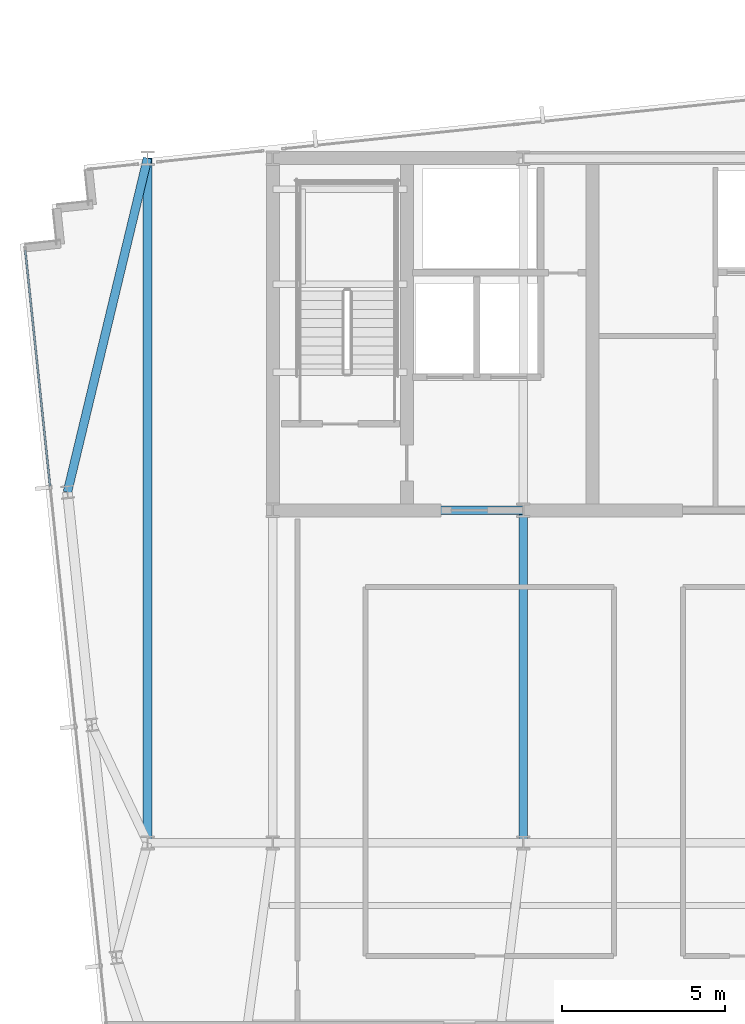
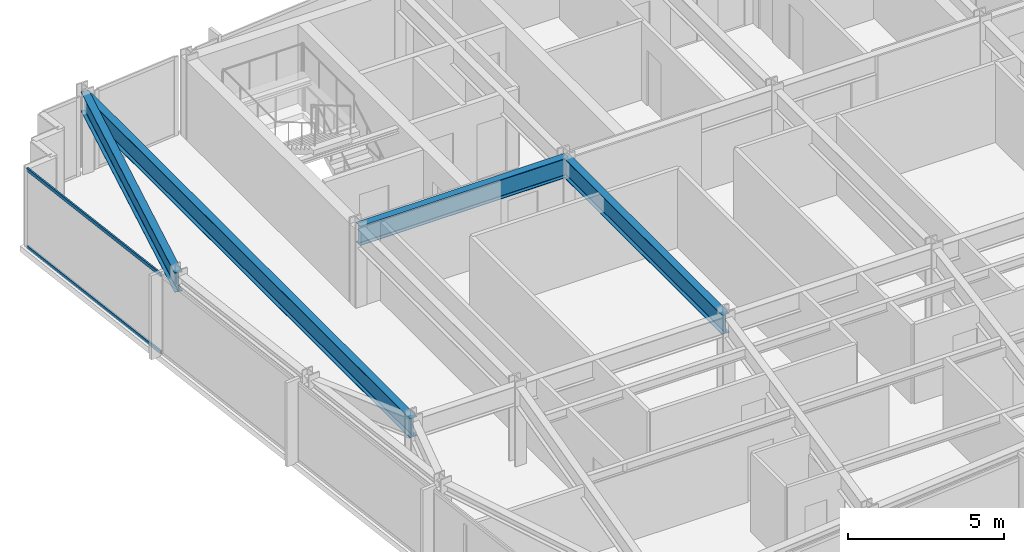
# One storey, part 11 of 32: 4 beams, 2 members, 1 element without a shape of its own.
"""IFC4 building model written with IfcOpenShell, lengths in metres."""

import ifcopenshell
import ifcopenshell.guid

model = None  # the IFC model being written
_history = None  # IfcOwnerHistory: only IFC2X3 demands one
_inside = {}  # id of a spatial element -> (the spatial element, [elements in it])
_under = {}  # id of a project, library or spatial element -> (it, [spatial elements below it])
_declared = {}  # id of a project -> (the project, [libraries it declares])
_typed = {}  # id of a type object -> (the type object, [elements of that type])
_made_of = {}  # id of a material, layer set ... -> (it, [elements and type objects made of it])


def new_model(schema):
    """Start an empty IFC model of exactly this schema.

    Asked for "IFC4X3", IfcOpenShell would pick the latest addendum, in which some entities
    have other attributes; the version numbers below select the first issue.
    IFC2X3 requires an IfcOwnerHistory on every rooted entity: one is made here for all.
    """
    global model, _history
    if schema == "IFC4X3":
        model = ifcopenshell.file(schema_version=(4, 3, 0, 0))
    else:
        model = ifcopenshell.file(schema=schema)
    _inside.clear()
    _under.clear()
    _declared.clear()
    _typed.clear()
    _made_of.clear()
    _history = None
    if model.schema == "IFC2X3":
        org = make("IfcOrganization", Name="unknown")
        user = make(
            "IfcPersonAndOrganization",
            ThePerson=make("IfcPerson", FamilyName="unknown"),
            TheOrganization=org,
        )
        app = make(
            "IfcApplication",
            ApplicationDeveloper=org,
            Version="unknown",
            ApplicationFullName="unknown",
            ApplicationIdentifier="unknown",
        )
        _history = make(
            "IfcOwnerHistory",
            OwningUser=user,
            OwningApplication=app,
            ChangeAction="ADDED",
            CreationDate=0,
        )
    return model


def make(cls, **values):
    """One entity of the class cls with the attributes given. An attribute that is None is left unset."""
    return model.create_entity(
        cls, **{name: value for name, value in values.items() if value is not None}
    )


def rooted(cls, **values):
    """An entity with a GlobalId (a new one), such as an element, a storey or a relation."""
    return make(cls, GlobalId=ifcopenshell.guid.new(), OwnerHistory=_history, **values)


def si_unit(unit_type, name, prefix=None):
    """IfcSIUnit, for example si_unit("LENGTHUNIT", "METRE", prefix="MILLI")."""
    return make("IfcSIUnit", UnitType=unit_type, Prefix=prefix, Name=name)


def assignment(units):
    """IfcUnitAssignment: the units of a project."""
    return None if units is None else make("IfcUnitAssignment", Units=units)


def point(xyz):
    """IfcCartesianPoint."""
    return None if xyz is None else make("IfcCartesianPoint", Coordinates=xyz)


def direction(xyz):
    """IfcDirection."""
    return None if xyz is None else make("IfcDirection", DirectionRatios=xyz)


def frame(location, z_axis=None, x_axis=None):
    """IfcAxis2Placement3D, a coordinate frame: its origin and axes. An axis left out is left unset."""
    return make(
        "IfcAxis2Placement3D",
        Location=point(location),
        Axis=direction(z_axis),
        RefDirection=direction(x_axis),
    )


def frame_2d(location, x_axis=None):
    """IfcAxis2Placement2D, a coordinate frame in the plane: its origin and x axis."""
    return make(
        "IfcAxis2Placement2D", Location=point(location), RefDirection=direction(x_axis)
    )


def origin():
    """The frame at (0, 0, 0) with its axes left unset."""
    return frame((0.0, 0.0, 0.0))


def origin_2d():
    """The frame at (0, 0) in the plane with its x axis left unset."""
    return frame_2d((0.0, 0.0))


def place(relative_to, where):
    """IfcLocalPlacement: puts the frame where relative to a parent placement (None: the world)."""
    return make(
        "IfcLocalPlacement", PlacementRelTo=relative_to, RelativePlacement=where
    )


def context(
    kind, dimensions, precision=None, world=None, true_north=None, identifier=None
):
    """IfcGeometricRepresentationContext, for example the 3D "Model" context."""
    return make(
        "IfcGeometricRepresentationContext",
        ContextIdentifier=identifier,
        ContextType=kind,
        CoordinateSpaceDimension=dimensions,
        Precision=precision,
        WorldCoordinateSystem=world,
        TrueNorth=true_north,
    )


def subcontext(parent, identifier, kind, view, scale=None):
    """IfcGeometricRepresentationSubContext, for example "Body" below "Model"."""
    return make(
        "IfcGeometricRepresentationSubContext",
        ContextIdentifier=identifier,
        ContextType=kind,
        ParentContext=parent,
        TargetScale=scale,
        TargetView=view,
    )


def project(units=None, contexts=None):
    """IfcProject with its units and contexts."""
    return rooted(
        "IfcProject",
        Name="project",
        RepresentationContexts=contexts,
        UnitsInContext=assignment(units),
    )


def spatial(cls, under=None, at=None, **own):
    """A site, building, storey or space (cls), placed at a placement, below another one or the project."""
    s = rooted(cls, ObjectPlacement=at, **own)
    if under is not None:
        _under.setdefault(under.id(), (under, []))[1].append(s)
    return s


def profile(cls, at=None, kind="AREA", **sizes):
    """A parametric profile (cls). Its sizes go by their IFC names, for example OverallWidth=200.0."""
    return make(cls, ProfileType=kind, Position=at, **sizes)


def hollow_rectangle(**sizes):
    """IfcRectangleHollowProfileDef."""
    return profile("IfcRectangleHollowProfileDef", **sizes)


def i_section(**sizes):
    """IfcIShapeProfileDef."""
    return profile("IfcIShapeProfileDef", **sizes)


def extrude(swept, where, along, depth):
    """IfcExtrudedAreaSolid: the profile swept, set in the frame where, extruded along a direction by depth."""
    return make(
        "IfcExtrudedAreaSolid",
        SweptArea=swept,
        Position=where,
        ExtrudedDirection=direction(along),
        Depth=depth,
    )


def shape(context_of_items, identifier, shape_type, items):
    """IfcShapeRepresentation: the items that make up one representation, for example the "Body"."""
    return make(
        "IfcShapeRepresentation",
        ContextOfItems=context_of_items,
        RepresentationIdentifier=identifier,
        RepresentationType=shape_type,
        Items=items,
    )


def material(Name=None, Category=None):
    """IfcMaterial."""
    return make("IfcMaterial", Name=Name, Category=Category)


def material_profile(
    of_material, cross_section, Name=None, Category=None, Priority=None
):
    """IfcMaterialProfile: a cross section and its material."""
    return make(
        "IfcMaterialProfile",
        Name=Name,
        Material=of_material,
        Profile=cross_section,
        Priority=Priority,
        Category=Category,
    )


def profile_set(profiles, Name=None, composite=None):
    """IfcMaterialProfileSet."""
    return make(
        "IfcMaterialProfileSet",
        Name=Name,
        MaterialProfiles=profiles,
        CompositeProfile=composite,
    )


def made_of(thing, what):
    """Note that an element or type object is made of a material, layer set ...; save() writes the relation."""
    if what is not None:
        _made_of.setdefault(what.id(), (what, []))[1].append(thing)
    return thing


def type_object(cls, material=None, **own):
    """A type object (cls), such as IfcWallType, which elements share."""
    return made_of(rooted(cls, **own), material)


def element(
    cls,
    number,
    at=None,
    inside=None,
    cuts=None,
    type_object=None,
    material=None,
    context=None,
    identifier="Body",
    shape_type=None,
    held_by="IfcProductDefinitionShape",
    body=None,
    shapes=None,
    **own,
):
    """One element of the class cls, such as IfcWall. Its Tag is "e" and its number.

    at: its placement. inside: the storey or other place that contains it. cuts: it is an
    opening in that element (IfcRelVoidsElement). A single representation is given by context,
    identifier, shape_type and body (its items); several are given by shapes. held_by: the class
    of the entity that holds the representations. save() writes the other relations.
    """
    e = rooted(cls, Tag="e%d" % number, ObjectPlacement=at, **own)
    if body is not None:
        shapes = [shape(context, identifier, shape_type, body)]
    if shapes is not None:
        e.Representation = make(held_by, Representations=shapes)
    if inside is not None:
        _inside.setdefault(inside.id(), (inside, []))[1].append(e)
    if cuts is not None:
        rooted(
            "IfcRelVoidsElement", RelatingBuildingElement=cuts, RelatedOpeningElement=e
        )
    if type_object is not None:
        _typed.setdefault(type_object.id(), (type_object, []))[1].append(e)
    return made_of(e, material)


def aggregate(whole, parts):
    """IfcRelAggregates: a whole, such as a stair, and the parts it consists of."""
    return rooted("IfcRelAggregates", RelatingObject=whole, RelatedObjects=parts)


def save(model, path):
    """Write the relations noted so far, then the file.

    IfcRelAggregates (storeys below a building ...), IfcRelContainedInSpatialStructure (elements
    in a storey), IfcRelDefinesByType, IfcRelAssociatesMaterial and IfcRelDeclares: one each for
    every whole, place, type object, material and project.
    """
    for whole, parts in _under.values():
        aggregate(whole, parts)
    for where, things in _inside.values():
        rooted(
            "IfcRelContainedInSpatialStructure",
            RelatedElements=things,
            RelatingStructure=where,
        )
    for kind, things in _typed.values():
        rooted("IfcRelDefinesByType", RelatedObjects=things, RelatingType=kind)
    for what, things in _made_of.values():
        rooted("IfcRelAssociatesMaterial", RelatedObjects=things, RelatingMaterial=what)
    for by, libraries in _declared.values():
        rooted("IfcRelDeclares", RelatingContext=by, RelatedDefinitions=libraries)
    model.write(path)


model = new_model("IFC4")

# Units and contexts
model_context = context("Model", 3, precision=1e-05, world=origin(), true_north=direction((0.0, 1.0)))
body_context = subcontext(model_context, "Body", "Model", "MODEL_VIEW")
ifc_project = project(units=[si_unit("LENGTHUNIT", "METRE"), si_unit("AREAUNIT", "SQUARE_METRE"), si_unit("VOLUMEUNIT", "CUBIC_METRE"), si_unit("PLANEANGLEUNIT", "RADIAN"), si_unit("MASSUNIT", "GRAM", prefix="KILO")], contexts=[model_context])

# Site, building, storey
site_placement = place(None, origin())
site = spatial("IfcSite", under=ifc_project, at=site_placement, CompositionType="ELEMENT")
building_placement = place(site_placement, origin())
building = spatial("IfcBuilding", under=site, at=building_placement, Name="Yelkora Congress Tower", CompositionType="ELEMENT")
storey_placement = place(building_placement, frame((0.0, 0.0, 214.39990234375)))
storey = spatial("IfcBuildingStorey", under=building, at=storey_placement, Name="L59", CompositionType="ELEMENT", Elevation=214.39990234375)

# Beams
ifc_material_1 = material(Name="Steel S355J2", Category="steel")
ifc_material_profile_1 = material_profile(ifc_material_1, i_section(OverallWidth=0.26708984375, OverallDepth=0.761962890625, WebThickness=0.014404296875, FlangeThickness=0.021484375, FilletRadius=0.01708984375, at=origin_2d()), Name="IPE 750x173")
ifc_profile_set_1 = profile_set([ifc_material_profile_1], Name="Steel S355J2")
beam_type = type_object("IfcBeamType", Name="BM-GIRD-IPE750", PredefinedType="BEAM", material=ifc_profile_set_1)
beam_1_placement = place(storey_placement, frame((23.0400390625, 35.39990234375, 2.69921875), z_axis=(1.0, 0.0, 0.0), x_axis=(0.0, 1.0, 0.0)))
element("IfcBeam", 1, at=beam_1_placement, inside=storey, type_object=beam_type, Name="L59 Core South Girder 1", PredefinedType="BEAM", context=body_context, shape_type="SweptSolid", body=[
    extrude(i_section(OverallWidth=0.26708984375, OverallDepth=0.761962890625, WebThickness=0.014404296875, FlangeThickness=0.021484375, FilletRadius=0.01708984375, at=origin_2d()), origin(), (0.0, 0.0, 1.0), 7.679931640625),
])
beam_2_placement = place(storey_placement, frame((30.719970703125, 25.199951171875, 2.69921875), z_axis=(0.0, 1.0, 0.0), x_axis=(-1.0, 0.0, 0.0)))
element("IfcBeam", 2, at=beam_2_placement, inside=storey, type_object=beam_type, Name="L59 Core Tie Girder MC-D2", PredefinedType="BEAM", context=body_context, shape_type="SweptSolid", body=[
    extrude(i_section(OverallWidth=0.26708984375, OverallDepth=0.761962890625, WebThickness=0.014404296875, FlangeThickness=0.021484375, FilletRadius=0.01708984375, at=origin_2d()), origin(), (0.0, 0.0, 1.0), 10.199951171875),
])
beam_3_placement = place(storey_placement, frame((19.199951171875, 25.199951171875, 2.69921875), z_axis=(0.0, 1.0, 0.0), x_axis=(-1.0, 0.0, 0.0)))
element("IfcBeam", 3, at=beam_3_placement, inside=storey, type_object=beam_type, Name="L59 Neck Flank Girder MC-F1", PredefinedType="BEAM", context=body_context, shape_type="SweptSolid", body=[
    extrude(i_section(OverallWidth=0.26708984375, OverallDepth=0.761962890625, WebThickness=0.014404296875, FlangeThickness=0.021484375, FilletRadius=0.01708984375, at=origin_2d()), origin(), (0.0, 0.0, 1.0), 21.0),
])
beam_4_placement = place(storey_placement, frame((16.7412109375, 35.95458984375, 2.69921875), z_axis=(0.233359806768, 0.972390456856, 0.0), x_axis=(-0.972390456856, 0.233359806768, 0.0)))
element("IfcBeam", 4, at=beam_4_placement, inside=storey, type_object=beam_type, Name="L59 Primary Frame Girder W03", PredefinedType="BEAM", context=body_context, shape_type="SweptSolid", body=[
    extrude(i_section(OverallWidth=0.26708984375, OverallDepth=0.761962890625, WebThickness=0.014404296875, FlangeThickness=0.021484375, FilletRadius=0.01708984375, at=origin_2d()), origin(), (0.0, 0.0, 1.0), 10.536376953125),
])

# Curtain wall, members
ifc_material_2 = material(Name="Anodised aluminium and insulated glass", Category="aluminium")
curtain_wall_type = type_object("IfcCurtainWallType", Name="CW-SYS-B4", PredefinedType="NOTDEFINED", material=ifc_material_2)
curtain_wall_placement = place(storey_placement, origin())
curtain_wall = element("IfcCurtainWall", 5, at=curtain_wall_placement, inside=storey, type_object=curtain_wall_type, Name="L59 Unitised Curtain Wall 5", PredefinedType="NOTDEFINED")
ifc_material_3 = material(Name="Anodised aluminium 6063-T6", Category="aluminium")
ifc_material_profile_2 = material_profile(ifc_material_3, hollow_rectangle(XDim=0.06005859375, YDim=0.1298828125, WallThickness=0.00390625, at=origin_2d()), Name="ALU 60x130x4")
ifc_profile_set_2 = profile_set([ifc_material_profile_2], Name="Anodised aluminium 6063-T6")
member_type = type_object("IfcMemberType", Name="MEM-TR-B4", PredefinedType="USERDEFINED", material=ifc_profile_set_2)
member_1_placement = place(storey_placement, frame((16.208984375, 36.137451171875, 0.030029296875), z_axis=(-0.104494567873, 0.994525457334, 0.0), x_axis=(-0.994525457334, -0.104494567873, 0.0)))
member_1 = element("IfcMember", 6, at=member_1_placement, type_object=member_type, Name="CW-B4 transom 4.1", ObjectType="TRANSOM", PredefinedType="USERDEFINED", context=body_context, shape_type="SweptSolid", body=[
    extrude(hollow_rectangle(XDim=0.06005859375, YDim=0.1298828125, WallThickness=0.00390625, at=origin_2d()), origin(), (0.0, 0.0, 1.0), 7.282470703125),
])
member_2_placement = place(storey_placement, frame((16.208984375, 36.137451171875, 3.050048828125), z_axis=(-0.104494567873, 0.994525457334, 0.0), x_axis=(-0.994525457334, -0.104494567873, 0.0)))
member_2 = element("IfcMember", 7, at=member_2_placement, type_object=member_type, Name="CW-B4 transom 4.2", ObjectType="TRANSOM", PredefinedType="USERDEFINED", context=body_context, shape_type="SweptSolid", body=[
    extrude(hollow_rectangle(XDim=0.06005859375, YDim=0.1298828125, WallThickness=0.00390625, at=origin_2d()), origin(), (0.0, 0.0, 1.0), 7.282470703125),
])
aggregate(curtain_wall, [member_1, member_2])

save(model, "model.ifc")
